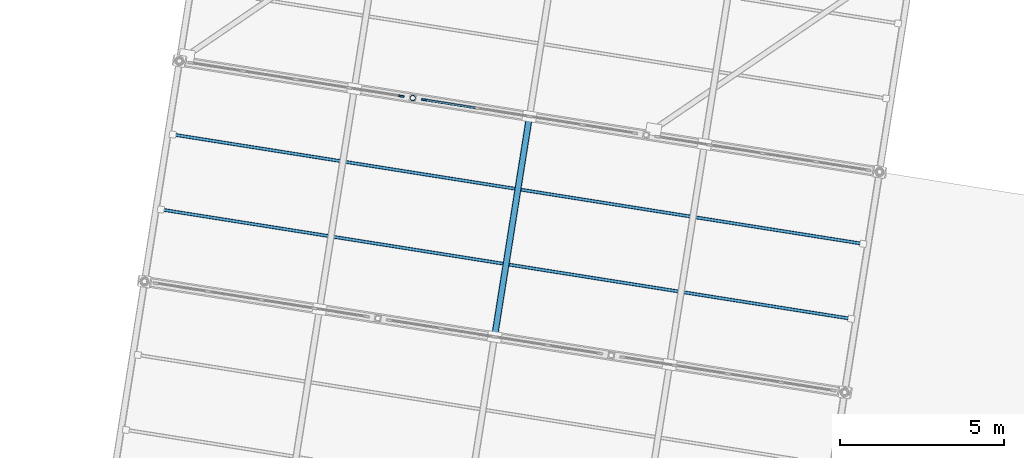
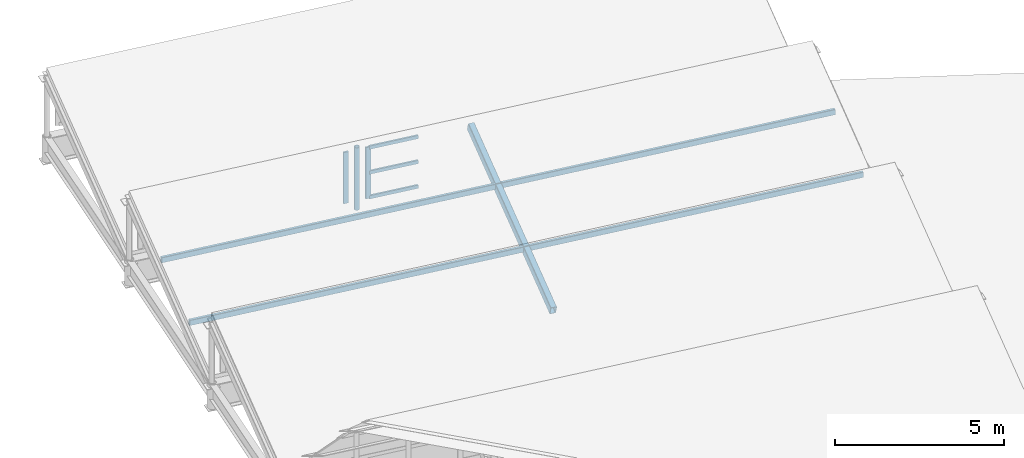
# One storey, part 44 of 65: 9 members, 2 elements without a shape of their own.
"""IFC4 building model written with IfcOpenShell, lengths in metres."""

import ifcopenshell
import ifcopenshell.guid

model = None  # the IFC model being written
_history = None  # IfcOwnerHistory: only IFC2X3 demands one
_inside = {}  # id of a spatial element -> (the spatial element, [elements in it])
_under = {}  # id of a project, library or spatial element -> (it, [spatial elements below it])
_declared = {}  # id of a project -> (the project, [libraries it declares])
_typed = {}  # id of a type object -> (the type object, [elements of that type])
_made_of = {}  # id of a material, layer set ... -> (it, [elements and type objects made of it])


def new_model(schema):
    """Start an empty IFC model of exactly this schema.

    Asked for "IFC4X3", IfcOpenShell would pick the latest addendum, in which some entities
    have other attributes; the version numbers below select the first issue.
    IFC2X3 requires an IfcOwnerHistory on every rooted entity: one is made here for all.
    """
    global model, _history
    if schema == "IFC4X3":
        model = ifcopenshell.file(schema_version=(4, 3, 0, 0))
    else:
        model = ifcopenshell.file(schema=schema)
    _inside.clear()
    _under.clear()
    _declared.clear()
    _typed.clear()
    _made_of.clear()
    _history = None
    if model.schema == "IFC2X3":
        org = make("IfcOrganization", Name="unknown")
        user = make(
            "IfcPersonAndOrganization",
            ThePerson=make("IfcPerson", FamilyName="unknown"),
            TheOrganization=org,
        )
        app = make(
            "IfcApplication",
            ApplicationDeveloper=org,
            Version="unknown",
            ApplicationFullName="unknown",
            ApplicationIdentifier="unknown",
        )
        _history = make(
            "IfcOwnerHistory",
            OwningUser=user,
            OwningApplication=app,
            ChangeAction="ADDED",
            CreationDate=0,
        )
    return model


def make(cls, **values):
    """One entity of the class cls with the attributes given. An attribute that is None is left unset."""
    return model.create_entity(
        cls, **{name: value for name, value in values.items() if value is not None}
    )


def rooted(cls, **values):
    """An entity with a GlobalId (a new one), such as an element, a storey or a relation."""
    return make(cls, GlobalId=ifcopenshell.guid.new(), OwnerHistory=_history, **values)


def si_unit(unit_type, name, prefix=None):
    """IfcSIUnit, for example si_unit("LENGTHUNIT", "METRE", prefix="MILLI")."""
    return make("IfcSIUnit", UnitType=unit_type, Prefix=prefix, Name=name)


def assignment(units):
    """IfcUnitAssignment: the units of a project."""
    return None if units is None else make("IfcUnitAssignment", Units=units)


def point(xyz):
    """IfcCartesianPoint."""
    return None if xyz is None else make("IfcCartesianPoint", Coordinates=xyz)


def direction(xyz):
    """IfcDirection."""
    return None if xyz is None else make("IfcDirection", DirectionRatios=xyz)


def frame(location, z_axis=None, x_axis=None):
    """IfcAxis2Placement3D, a coordinate frame: its origin and axes. An axis left out is left unset."""
    return make(
        "IfcAxis2Placement3D",
        Location=point(location),
        Axis=direction(z_axis),
        RefDirection=direction(x_axis),
    )


def frame_2d(location, x_axis=None):
    """IfcAxis2Placement2D, a coordinate frame in the plane: its origin and x axis."""
    return make(
        "IfcAxis2Placement2D", Location=point(location), RefDirection=direction(x_axis)
    )


def origin():
    """The frame at (0, 0, 0) with its axes left unset."""
    return frame((0.0, 0.0, 0.0))


def origin_2d():
    """The frame at (0, 0) in the plane with its x axis left unset."""
    return frame_2d((0.0, 0.0))


def place(relative_to, where):
    """IfcLocalPlacement: puts the frame where relative to a parent placement (None: the world)."""
    return make(
        "IfcLocalPlacement", PlacementRelTo=relative_to, RelativePlacement=where
    )


def context(
    kind, dimensions, precision=None, world=None, true_north=None, identifier=None
):
    """IfcGeometricRepresentationContext, for example the 3D "Model" context."""
    return make(
        "IfcGeometricRepresentationContext",
        ContextIdentifier=identifier,
        ContextType=kind,
        CoordinateSpaceDimension=dimensions,
        Precision=precision,
        WorldCoordinateSystem=world,
        TrueNorth=true_north,
    )


def subcontext(parent, identifier, kind, view, scale=None):
    """IfcGeometricRepresentationSubContext, for example "Body" below "Model"."""
    return make(
        "IfcGeometricRepresentationSubContext",
        ContextIdentifier=identifier,
        ContextType=kind,
        ParentContext=parent,
        TargetScale=scale,
        TargetView=view,
    )


def project(units=None, contexts=None):
    """IfcProject with its units and contexts."""
    return rooted(
        "IfcProject",
        Name="project",
        RepresentationContexts=contexts,
        UnitsInContext=assignment(units),
    )


def spatial(cls, under=None, at=None, **own):
    """A site, building, storey or space (cls), placed at a placement, below another one or the project."""
    s = rooted(cls, ObjectPlacement=at, **own)
    if under is not None:
        _under.setdefault(under.id(), (under, []))[1].append(s)
    return s


def profile(cls, at=None, kind="AREA", **sizes):
    """A parametric profile (cls). Its sizes go by their IFC names, for example OverallWidth=200.0."""
    return make(cls, ProfileType=kind, Position=at, **sizes)


def rectangle(**sizes):
    """IfcRectangleProfileDef."""
    return profile("IfcRectangleProfileDef", **sizes)


def hollow_rectangle(**sizes):
    """IfcRectangleHollowProfileDef."""
    return profile("IfcRectangleHollowProfileDef", **sizes)


def hollow_circle(**sizes):
    """IfcCircleHollowProfileDef."""
    return profile("IfcCircleHollowProfileDef", **sizes)


def extrude(swept, where, along, depth):
    """IfcExtrudedAreaSolid: the profile swept, set in the frame where, extruded along a direction by depth."""
    return make(
        "IfcExtrudedAreaSolid",
        SweptArea=swept,
        Position=where,
        ExtrudedDirection=direction(along),
        Depth=depth,
    )


def shape(context_of_items, identifier, shape_type, items):
    """IfcShapeRepresentation: the items that make up one representation, for example the "Body"."""
    return make(
        "IfcShapeRepresentation",
        ContextOfItems=context_of_items,
        RepresentationIdentifier=identifier,
        RepresentationType=shape_type,
        Items=items,
    )


def material(Name=None, Category=None):
    """IfcMaterial."""
    return make("IfcMaterial", Name=Name, Category=Category)


def material_profile(
    of_material, cross_section, Name=None, Category=None, Priority=None
):
    """IfcMaterialProfile: a cross section and its material."""
    return make(
        "IfcMaterialProfile",
        Name=Name,
        Material=of_material,
        Profile=cross_section,
        Priority=Priority,
        Category=Category,
    )


def profile_set(profiles, Name=None, composite=None):
    """IfcMaterialProfileSet."""
    return make(
        "IfcMaterialProfileSet",
        Name=Name,
        MaterialProfiles=profiles,
        CompositeProfile=composite,
    )


def made_of(thing, what):
    """Note that an element or type object is made of a material, layer set ...; save() writes the relation."""
    if what is not None:
        _made_of.setdefault(what.id(), (what, []))[1].append(thing)
    return thing


def type_object(cls, material=None, **own):
    """A type object (cls), such as IfcWallType, which elements share."""
    return made_of(rooted(cls, **own), material)


def element(
    cls,
    number,
    at=None,
    inside=None,
    cuts=None,
    type_object=None,
    material=None,
    context=None,
    identifier="Body",
    shape_type=None,
    held_by="IfcProductDefinitionShape",
    body=None,
    shapes=None,
    **own,
):
    """One element of the class cls, such as IfcWall. Its Tag is "e" and its number.

    at: its placement. inside: the storey or other place that contains it. cuts: it is an
    opening in that element (IfcRelVoidsElement). A single representation is given by context,
    identifier, shape_type and body (its items); several are given by shapes. held_by: the class
    of the entity that holds the representations. save() writes the other relations.
    """
    e = rooted(cls, Tag="e%d" % number, ObjectPlacement=at, **own)
    if body is not None:
        shapes = [shape(context, identifier, shape_type, body)]
    if shapes is not None:
        e.Representation = make(held_by, Representations=shapes)
    if inside is not None:
        _inside.setdefault(inside.id(), (inside, []))[1].append(e)
    if cuts is not None:
        rooted(
            "IfcRelVoidsElement", RelatingBuildingElement=cuts, RelatedOpeningElement=e
        )
    if type_object is not None:
        _typed.setdefault(type_object.id(), (type_object, []))[1].append(e)
    return made_of(e, material)


def aggregate(whole, parts):
    """IfcRelAggregates: a whole, such as a stair, and the parts it consists of."""
    return rooted("IfcRelAggregates", RelatingObject=whole, RelatedObjects=parts)


def save(model, path):
    """Write the relations noted so far, then the file.

    IfcRelAggregates (storeys below a building ...), IfcRelContainedInSpatialStructure (elements
    in a storey), IfcRelDefinesByType, IfcRelAssociatesMaterial and IfcRelDeclares: one each for
    every whole, place, type object, material and project.
    """
    for whole, parts in _under.values():
        aggregate(whole, parts)
    for where, things in _inside.values():
        rooted(
            "IfcRelContainedInSpatialStructure",
            RelatedElements=things,
            RelatingStructure=where,
        )
    for kind, things in _typed.values():
        rooted("IfcRelDefinesByType", RelatedObjects=things, RelatingType=kind)
    for what, things in _made_of.values():
        rooted("IfcRelAssociatesMaterial", RelatedObjects=things, RelatingMaterial=what)
    for by, libraries in _declared.values():
        rooted("IfcRelDeclares", RelatingContext=by, RelatedDefinitions=libraries)
    model.write(path)


model = new_model("IFC4")

# Units and contexts
model_context = context("Model", 3, precision=1e-05, world=origin(), true_north=direction((0.0, 1.0)))
body_context = subcontext(model_context, "Body", "Model", "MODEL_VIEW")
ifc_project = project(units=[si_unit("LENGTHUNIT", "METRE"), si_unit("AREAUNIT", "SQUARE_METRE"), si_unit("VOLUMEUNIT", "CUBIC_METRE"), si_unit("PLANEANGLEUNIT", "RADIAN"), si_unit("MASSUNIT", "GRAM", prefix="KILO")], contexts=[model_context])

# Site, building, storey
site_placement = place(None, origin())
site = spatial("IfcSite", under=ifc_project, at=site_placement, CompositionType="ELEMENT")
building_placement = place(site_placement, origin())
building = spatial("IfcBuilding", under=site, at=building_placement, Name="Cinderway Yard Community Centre", CompositionType="ELEMENT")
storey_placement = place(building_placement, frame((0.0, 0.0, 24.300048828125)))
storey = spatial("IfcBuildingStorey", under=building, at=storey_placement, Name="RF", CompositionType="ELEMENT", Elevation=24.300048828125)

# Curtain wall, member
ifc_material_1 = material(Name="Aluminium 6063-T6", Category="aluminium")
curtain_wall_type = type_object("IfcCurtainWallType", Name="ENV-CW-TYPE-23", PredefinedType="USERDEFINED", material=ifc_material_1)
curtain_wall_1_placement = place(storey_placement, origin())
curtain_wall_1 = element("IfcCurtainWall", 1, at=curtain_wall_1_placement, inside=storey, type_object=curtain_wall_type, Name="Sawtooth North-Light Clerestory ENV-CW-RF-ST-0084", ObjectType="GLAZED CURTAIN WALL", PredefinedType="USERDEFINED")
ifc_material_profile_1 = material_profile(ifc_material_1, rectangle(XDim=0.06005859375, YDim=0.159912109375, at=origin_2d()), Name="Aluminium 6063-T6")
ifc_profile_set_1 = profile_set([ifc_material_profile_1], Name="Aluminium 6063-T6")
member_type_1 = type_object("IfcMemberType", Name="ENV-CW-MULL-150", PredefinedType="MULLION", material=ifc_profile_set_1)
member_1_placement = place(storey_placement, frame((130.08447265625, 70.509765625, -10.199951171875), z_axis=(0.0, 0.0, 1.0), x_axis=(0.15640876877, 0.987692410142, 0.0)))
member_1 = element("IfcMember", 2, at=member_1_placement, type_object=member_type_1, Name="CW-23 mullion 5", PredefinedType="MULLION", context=body_context, shape_type="SweptSolid", body=[
    extrude(rectangle(XDim=0.06005859375, YDim=0.159912109375, at=origin_2d()), origin(), (0.0, 0.0, 1.0), 1.849853515625),
])
aggregate(curtain_wall_1, [member_1])

# Curtain wall, members
curtain_wall_2_placement = place(storey_placement, origin())
curtain_wall_2 = element("IfcCurtainWall", 3, at=curtain_wall_2_placement, inside=storey, type_object=curtain_wall_type, Name="Sawtooth North-Light Clerestory ENV-CW-RF-ST-0085", ObjectType="GLAZED CURTAIN WALL", PredefinedType="USERDEFINED")
member_2_placement = place(storey_placement, frame((130.775634765625, 70.400390625, -10.199951171875), z_axis=(0.0, 0.0, 1.0), x_axis=(0.15640876877, 0.987692410142, 0.0)))
member_2 = element("IfcMember", 4, at=member_2_placement, type_object=member_type_1, Name="CW-23 mullion 1", PredefinedType="MULLION", context=body_context, shape_type="SweptSolid", body=[
    extrude(rectangle(XDim=0.06005859375, YDim=0.159912109375, at=origin_2d()), origin(), (0.0, 0.0, 1.0), 1.849853515625),
])
ifc_material_profile_2 = material_profile(ifc_material_1, rectangle(XDim=0.06005859375, YDim=0.1201171875, at=origin_2d()), Name="Aluminium 6063-T6")
ifc_profile_set_2 = profile_set([ifc_material_profile_2], Name="Aluminium 6063-T6")
member_type_2 = type_object("IfcMemberType", Name="ENV-CW-TRAN-110", PredefinedType="USERDEFINED", material=ifc_profile_set_2)
member_3_placement = place(storey_placement, frame((130.80517578125, 70.3955078125, -10.170166015625), z_axis=(0.987693908517, -0.156399306515, 0.0), x_axis=(0.156399306515, 0.987693908517, 0.0)))
member_3 = element("IfcMember", 5, at=member_3_placement, type_object=member_type_2, Name="CW-23 transom 1.1", ObjectType="TRANSOM", PredefinedType="USERDEFINED", context=body_context, shape_type="SweptSolid", body=[
    extrude(rectangle(XDim=0.06005859375, YDim=0.1201171875, at=origin_2d()), origin(), (0.0, 0.0, 1.0), 1.550048828125),
])
member_4_placement = place(storey_placement, frame((130.80517578125, 70.3955078125, -9.280029296875), z_axis=(0.987693908517, -0.156399306515, 0.0), x_axis=(0.156399306515, 0.987693908517, 0.0)))
member_4 = element("IfcMember", 6, at=member_4_placement, type_object=member_type_2, Name="CW-23 transom 1.2", ObjectType="TRANSOM", PredefinedType="USERDEFINED", context=body_context, shape_type="SweptSolid", body=[
    extrude(rectangle(XDim=0.06005859375, YDim=0.1201171875, at=origin_2d()), origin(), (0.0, 0.0, 1.0), 1.550048828125),
])
member_5_placement = place(storey_placement, frame((130.80517578125, 70.3955078125, -8.380126953125), z_axis=(0.987693908517, -0.156399306515, 0.0), x_axis=(0.156399306515, 0.987693908517, 0.0)))
member_5 = element("IfcMember", 7, at=member_5_placement, type_object=member_type_2, Name="CW-23 transom 1.3", ObjectType="TRANSOM", PredefinedType="USERDEFINED", context=body_context, shape_type="SweptSolid", body=[
    extrude(rectangle(XDim=0.06005859375, YDim=0.1201171875, at=origin_2d()), origin(), (0.0, 0.0, 1.0), 1.550048828125),
])
aggregate(curtain_wall_2, [member_2, member_3, member_4, member_5])

# Members
ifc_material_2 = material(Name="Steel S355", Category="steel")
ifc_material_profile_3 = material_profile(ifc_material_2, hollow_rectangle(XDim=0.10009765625, YDim=0.199951171875, WallThickness=0.008056640625, InnerFilletRadius=0.008056640625, OuterFilletRadius=0.01611328125, at=origin_2d()), Name="Steel S355")
ifc_profile_set_3 = profile_set([ifc_material_profile_3], Name="Steel S355")
member_type_3 = type_object("IfcMemberType", Name="STR-MEM-PURLIN-200", PredefinedType="PURLIN", material=ifc_profile_set_3)
for number, where, z_axis, x_axis, name in (
    (8, (122.75390625, 67.05810546875, -9.843994140625), (0.987688878943, -0.156431066005, 0.0), (0.156431066005, 0.987688878943, 0.0), "Sawtooth roof purlin B5-33"),
    (9, (123.115966796875, 69.342041015625, -9.095947265625), (0.987688878943, -0.156431066005, 0.0), (0.156431066005, 0.987688878943, 0.0), "Sawtooth roof purlin B5-67"),
):
    element("IfcMember", number, at=place(storey_placement, frame(where, z_axis=z_axis, x_axis=x_axis)), inside=storey, type_object=member_type_3, Name=name, PredefinedType="PURLIN", context=body_context, shape_type="SweptSolid", body=[
        extrude(hollow_rectangle(XDim=0.10009765625, YDim=0.199951171875, WallThickness=0.008056640625, InnerFilletRadius=0.008056640625, OuterFilletRadius=0.01611328125, at=origin_2d()), origin(), (0.0, 0.0, 1.0), 21.30029296875),
    ])
ifc_material_profile_4 = material_profile(ifc_material_2, hollow_rectangle(XDim=0.199951171875, YDim=0.300048828125, WallThickness=0.012451171875, InnerFilletRadius=0.012451171875, OuterFilletRadius=0.02490234375, at=origin_2d()), Name="Steel S355")
ifc_profile_set_4 = profile_set([ifc_material_profile_4], Name="Steel S355")
member_type_4 = type_object("IfcMemberType", Name="STR-MEM-RAFTER-300", PredefinedType="RAFTER", material=ifc_profile_set_4)
member_6_placement = place(storey_placement, frame((132.922119140625, 63.176025390625, -10.6201171875), z_axis=(0.14887205817, 0.939724976642, 0.307821504399), x_axis=(-0.987682779013, 0.156469575446, 0.0)))
element("IfcMember", 10, at=member_6_placement, inside=storey, type_object=member_type_4, Name="Sawtooth raked rafter B5-108", PredefinedType="RAFTER", context=body_context, shape_type="SweptSolid", body=[
    extrude(hollow_rectangle(XDim=0.199951171875, YDim=0.300048828125, WallThickness=0.012451171875, InnerFilletRadius=0.012451171875, OuterFilletRadius=0.02490234375, at=origin_2d()), origin(), (0.0, 0.0, 1.0), 7.146728515625),
])
ifc_material_profile_5 = material_profile(ifc_material_2, hollow_circle(Radius=0.084228515625, WallThickness=0.008056640625, at=origin_2d()), Name="Steel S355")
ifc_profile_set_5 = profile_set([ifc_material_profile_5], Name="Steel S355")
member_type_5 = type_object("IfcMemberType", Name="STR-MEM-STRUT-CHS168", PredefinedType="STRUT", material=ifc_profile_set_5)
member_7_placement = place(storey_placement, frame((130.429931640625, 70.455078125, -10.5), z_axis=(0.0, 0.0, 1.0), x_axis=(1.0, 0.0, 0.0)))
element("IfcMember", 11, at=member_7_placement, inside=storey, type_object=member_type_5, Name="Sawtooth kingpost B5-072", PredefinedType="STRUT", context=body_context, shape_type="SweptSolid", body=[
    extrude(hollow_circle(Radius=0.084228515625, WallThickness=0.008056640625, at=origin_2d()), origin(), (0.0, 0.0, 1.0), 2.25),
])

save(model, "model.ifc")
